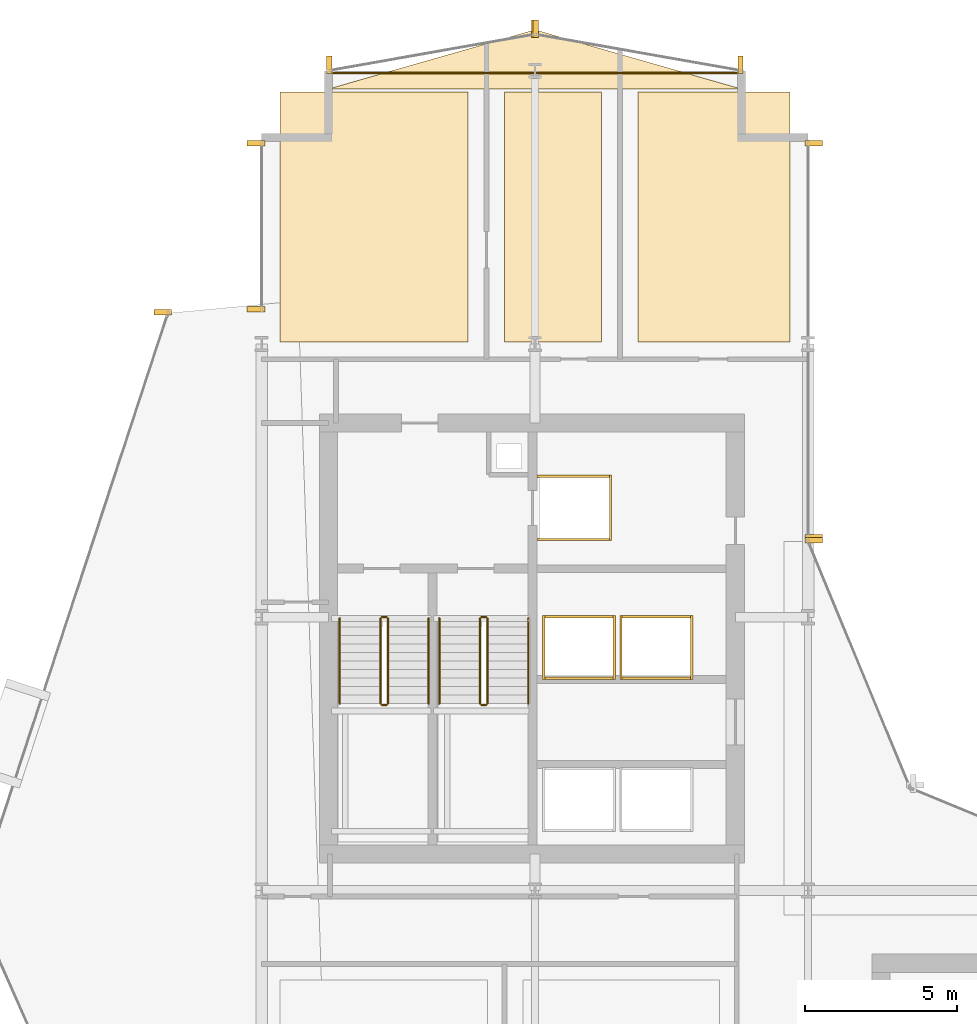
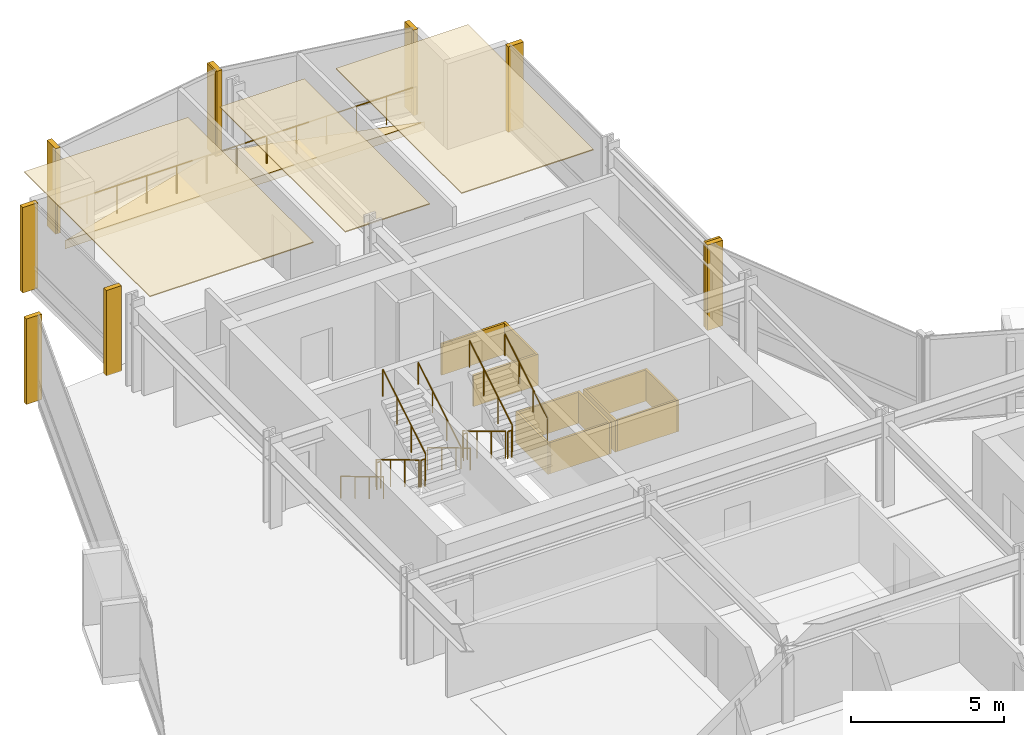
# One storey, part 33 of 34: 25 coverings, 13 railings.
"""IFC4 building model written with IfcOpenShell, lengths in metres."""

from ifc_helpers import new_model, si_unit, direction, frame, origin, origin_2d, place, context, subcontext, project, spatial, polyline, rectangle, circle, outline, extrude, material, layer, layer_set, type_object, element, save


model = new_model("IFC4")

# Units and contexts
model_context = context("Model", 3, precision=1e-05, world=origin(), true_north=direction((0.0, 1.0)))
body_context = subcontext(model_context, "Body", "Model", "MODEL_VIEW")
ifc_project = project(units=[si_unit("LENGTHUNIT", "METRE"), si_unit("AREAUNIT", "SQUARE_METRE"), si_unit("VOLUMEUNIT", "CUBIC_METRE"), si_unit("PLANEANGLEUNIT", "RADIAN"), si_unit("MASSUNIT", "GRAM", prefix="KILO")], contexts=[model_context])

# Site, building, storey
site_placement = place(None, origin())
site = spatial("IfcSite", under=ifc_project, at=site_placement, CompositionType="ELEMENT")
building_placement = place(site_placement, origin())
building = spatial("IfcBuilding", under=site, at=building_placement, Name="Solvaryn Broadcast Tower", CompositionType="ELEMENT")
storey_placement = place(building_placement, frame((0.0, 0.0, 54.5)))
storey = spatial("IfcBuildingStorey", under=building, at=storey_placement, Name="L12", CompositionType="ELEMENT", Elevation=54.5)

# Coverings
ifc_material_1 = material(Name="Micro-Perforated Acoustic Gypsum Ceiling", Category="concrete")
ifc_layer_1 = layer(ifc_material_1, 0.0400390625)
ifc_layer_set_1 = layer_set([ifc_layer_1], Name="CV-CEIL-ACOUSTIC")
covering_type_1 = type_object("IfcCoveringType", Name="CV-CEIL-ACOUSTIC", PredefinedType="CEILING", material=ifc_layer_set_1)
covering_1_placement = place(storey_placement, frame((0.0, 0.0, 3.3798828125)))
element("IfcCovering", 1, at=covering_1_placement, inside=storey, type_object=covering_type_1, Name="L12 Room Acoustic Ceiling 6", PredefinedType="CEILING", context=body_context, shape_type="SweptSolid", body=[
    extrude(outline(polyline([(9.60009765625, 45.070068359375), (15.800048828125, 45.070068359375), (15.800048828125, 53.300048828125), (9.60009765625, 53.300048828125), (9.60009765625, 45.070068359375)])), origin(), (0.0, 0.0, 1.0), 0.0400390625),
])
covering_2_placement = place(storey_placement, frame((0.0, 0.0, 3.3798828125)))
element("IfcCovering", 2, at=covering_2_placement, inside=storey, type_object=covering_type_1, Name="L12 Room Acoustic Ceiling 7", PredefinedType="CEILING", context=body_context, shape_type="SweptSolid", body=[
    extrude(outline(polyline([(17.0, 45.070068359375), (20.199951171875, 45.070068359375), (20.199951171875, 53.300048828125), (17.0, 53.300048828125), (17.0, 45.070068359375)])), origin(), (0.0, 0.0, 1.0), 0.0400390625),
])
covering_3_placement = place(storey_placement, frame((0.0, 0.0, 3.3798828125)))
element("IfcCovering", 3, at=covering_3_placement, inside=storey, type_object=covering_type_1, Name="L12 Room Acoustic Ceiling 8", PredefinedType="CEILING", context=body_context, shape_type="SweptSolid", body=[
    extrude(outline(polyline([(21.39990234375, 45.070068359375), (26.39990234375, 45.070068359375), (26.39990234375, 53.300048828125), (21.39990234375, 53.300048828125), (21.39990234375, 45.070068359375)])), origin(), (0.0, 0.0, 1.0), 0.0400390625),
])
ifc_material_2 = material(Name="Fire-Rated Gypsum Shaftwall Liner", Category="concrete")
ifc_layer_2 = layer(ifc_material_2, 0.080078125)
ifc_layer_set_2 = layer_set([ifc_layer_2], Name="CV-SHAFT-LINER")
covering_type_2 = type_object("IfcCoveringType", Name="CV-SHAFT-LINER", PredefinedType="CLADDING", material=ifc_layer_set_2)
for number, where, z_axis, x_axis, name in (
    (4, (19.300048828125, 40.639892578125, 0.0), (0.0, 0.0, 1.0), (1.0, 0.0, 0.0), "L12 FL1 Hoistway Shaft Liner North"),
    (5, (19.300048828125, 38.56005859375, 0.0), (0.0, 0.0, 1.0), (1.0, 0.0, 0.0), "L12 FL1 Hoistway Shaft Liner South"),
):
    element("IfcCovering", number, at=place(storey_placement, frame(where, z_axis=z_axis, x_axis=x_axis)), inside=storey, type_object=covering_type_2, Name=name, PredefinedType="CLADDING", context=body_context, shape_type="SweptSolid", body=[
        extrude(rectangle(XDim=2.4599609375, YDim=0.080078125, at=origin_2d()), origin(), (0.0, 0.0, 1.0), 1.25),
    ])
covering_4_placement = place(storey_placement, frame((20.489990234375, 39.60009765625, 0.0), z_axis=(0.0, 0.0, 1.0), x_axis=(1.0, 0.0, 0.0)))
element("IfcCovering", 6, at=covering_4_placement, inside=storey, type_object=covering_type_2, Name="L12 FL1 Hoistway Shaft Liner East", PredefinedType="CLADDING", context=body_context, shape_type="SweptSolid", body=[
    extrude(rectangle(XDim=0.080078125, YDim=2.159912109375, at=origin_2d()), origin(), (0.0, 0.0, 1.0), 1.25),
])
for number, where, z_axis, x_axis, name in (
    (7, (19.449951171875, 36.014892578125, 0.0), (0.0, 0.0, 1.0), (1.0, 0.0, 0.0), "L12 PH3 Hoistway Shaft Liner North"),
    (8, (19.449951171875, 33.985107421875, 0.0), (0.0, 0.0, 1.0), (1.0, 0.0, 0.0), "L12 PH3 Hoistway Shaft Liner South"),
):
    element("IfcCovering", number, at=place(storey_placement, frame(where, z_axis=z_axis, x_axis=x_axis)), inside=storey, type_object=covering_type_2, Name=name, PredefinedType="CLADDING", context=body_context, shape_type="SweptSolid", body=[
        extrude(rectangle(XDim=2.409912109375, YDim=0.080078125, at=origin_2d()), origin(), (0.0, 0.0, 1.0), 1.25),
    ])
for number, where, z_axis, x_axis, name in (
    (9, (20.614990234375, 35.0, 0.0), (0.0, 0.0, 1.0), (1.0, 0.0, 0.0), "L12 PH3 Hoistway Shaft Liner East"),
    (10, (18.284912109375, 35.0, 0.0), (0.0, 0.0, 1.0), (1.0, 0.0, 0.0), "L12 PH3 Hoistway Shaft Liner West"),
):
    element("IfcCovering", number, at=place(storey_placement, frame(where, z_axis=z_axis, x_axis=x_axis)), inside=storey, type_object=covering_type_2, Name=name, PredefinedType="CLADDING", context=body_context, shape_type="SweptSolid", body=[
        extrude(rectangle(XDim=0.080078125, YDim=2.110107421875, at=origin_2d()), origin(), (0.0, 0.0, 1.0), 1.25),
    ])
for number, where, z_axis, x_axis, name in (
    (11, (22.0, 36.014892578125, 0.0), (0.0, 0.0, 1.0), (1.0, 0.0, 0.0), "L12 PH4 Hoistway Shaft Liner North"),
    (12, (22.0, 33.985107421875, 0.0), (0.0, 0.0, 1.0), (1.0, 0.0, 0.0), "L12 PH4 Hoistway Shaft Liner South"),
):
    element("IfcCovering", number, at=place(storey_placement, frame(where, z_axis=z_axis, x_axis=x_axis)), inside=storey, type_object=covering_type_2, Name=name, PredefinedType="CLADDING", context=body_context, shape_type="SweptSolid", body=[
        extrude(rectangle(XDim=2.409912109375, YDim=0.080078125, at=origin_2d()), origin(), (0.0, 0.0, 1.0), 1.25),
    ])
for number, where, z_axis, x_axis, name in (
    (13, (23.1650390625, 35.0, 0.0), (0.0, 0.0, 1.0), (1.0, 0.0, 0.0), "L12 PH4 Hoistway Shaft Liner East"),
    (14, (20.8349609375, 35.0, 0.0), (0.0, 0.0, 1.0), (1.0, 0.0, 0.0), "L12 PH4 Hoistway Shaft Liner West"),
):
    element("IfcCovering", number, at=place(storey_placement, frame(where, z_axis=z_axis, x_axis=x_axis)), inside=storey, type_object=covering_type_2, Name=name, PredefinedType="CLADDING", context=body_context, shape_type="SweptSolid", body=[
        extrude(rectangle(XDim=0.080078125, YDim=2.110107421875, at=origin_2d()), origin(), (0.0, 0.0, 1.0), 1.25),
    ])
ifc_material_3 = material(Name="Extruded Architectural Terracotta Fin", Category="masonry")
ifc_layer_3 = layer(ifc_material_3, 0.179931640625)
ifc_layer_set_3 = layer_set([ifc_layer_3], Name="CV-TC-FIN")
covering_type_3 = type_object("IfcCoveringType", Name="CV-TC-FIN", PredefinedType="USERDEFINED", material=ifc_layer_set_3)
for number, where, z_axis, x_axis, name in (
    (15, (5.735595703125, 46.043701171875, 0.0), (0.0, 0.0, 1.0), (1.0, 0.0, 0.0), "L12 Terracotta Vertical Fin FIN-L12-DR1-M00"),
    (16, (8.8125, 46.14599609375, 0.0), (0.0, 0.0, 1.0), (1.0, 0.0, 0.0), "L12 Terracotta Vertical Fin FIN-L12-W2-M00"),
    (17, (8.8125, 51.6201171875, 0.0), (0.0, 0.0, 1.0), (1.0, 0.0, 0.0), "L12 Terracotta Vertical Fin FIN-L12-W2-M01"),
    (18, (27.1875, 51.6201171875, 0.0), (0.0, 0.0, 1.0), (1.0, 0.0, 0.0), "L12 Terracotta Vertical Fin FIN-L12-IV-M00"),
    (19, (27.1875, 38.6298828125, 0.0), (0.0, 0.0, 1.0), (1.0, 0.0, 0.0), "L12 Terracotta Vertical Fin FIN-L12-IV-M01"),
    (20, (27.177978515625, 38.541259765625, 0.0), (0.0, 0.0, 1.0), (1.0, 0.0, 0.0), "L12 Terracotta Vertical Fin FIN-L12-CN2-M01"),
):
    element("IfcCovering", number, at=place(storey_placement, frame(where, z_axis=z_axis, x_axis=x_axis)), inside=storey, type_object=covering_type_3, Name=name, ObjectType="FIN", PredefinedType="USERDEFINED", context=body_context, shape_type="SweptSolid", body=[
        extrude(rectangle(XDim=0.580078125, YDim=0.179931640625, at=origin_2d()), origin(), (0.0, 0.0, 1.0), 3.419921875),
    ])
for number, where, z_axis, x_axis, name in (
    (21, (24.7705078125, 54.192626953125, 0.0), (0.0, 0.0, 1.0), (1.0, 0.0, 0.0), "L12 Terracotta Vertical Fin FIN-L12-NT1-M00"),
    (22, (18.029541015625, 55.38232421875, 0.0), (0.0, 0.0, 1.0), (1.0, 0.0, 0.0), "L12 Terracotta Vertical Fin FIN-L12-NT1-M01"),
    (23, (17.970458984375, 55.38232421875, 0.0), (0.0, 0.0, 1.0), (1.0, 0.0, 0.0), "L12 Terracotta Vertical Fin FIN-L12-NT2-M00"),
    (24, (11.2294921875, 54.192626953125, 0.0), (0.0, 0.0, 1.0), (1.0, 0.0, 0.0), "L12 Terracotta Vertical Fin FIN-L12-NT2-M01"),
):
    element("IfcCovering", number, at=place(storey_placement, frame(where, z_axis=z_axis, x_axis=x_axis)), inside=storey, type_object=covering_type_3, Name=name, ObjectType="FIN", PredefinedType="USERDEFINED", context=body_context, shape_type="SweptSolid", body=[
        extrude(rectangle(XDim=0.179931640625, YDim=0.580078125, at=origin_2d()), origin(), (0.0, 0.0, 1.0), 3.419921875),
    ])
ifc_material_4 = material(Name="Sculpted Architectural Terracotta Wave Fascia", Category="masonry")
ifc_layer_4 = layer(ifc_material_4, 0.340087890625)
ifc_layer_set_4 = layer_set([ifc_layer_4], Name="CV-WAVE-TRAY")
covering_type_4 = type_object("IfcCoveringType", Name="CV-WAVE-TRAY", PredefinedType="CLADDING", material=ifc_layer_set_4)
covering_5_placement = place(storey_placement, frame((0.0, 0.0, -0.300048828125)))
element("IfcCovering", 25, at=covering_5_placement, inside=storey, type_object=covering_type_4, Name="L12 North Curved Wing Deck", PredefinedType="CLADDING", context=body_context, shape_type="SweptSolid", body=[
    extrude(outline(polyline([(11.199951171875, 53.39990234375), (24.800048828125, 53.39990234375), (18.0, 55.35009765625), (11.199951171875, 53.39990234375)])), origin(), (0.0, 0.0, 1.0), 0.330078125),
])

# Railings
ifc_material_5 = material(Name="Painted Steel Stair Well Guard", Category="steel")
railing_type_1 = type_object("IfcRailingType", Name="RL-STAIR-GUARD", PredefinedType="BALUSTRADE", material=ifc_material_5)
railing_1_placement = place(storey_placement, frame((12.909912109375, 35.9599609375, 0.168212890625)))
element("IfcRailing", 26, at=railing_1_placement, inside=storey, type_object=railing_type_1, Name="L12 ST1 stair guard 1", PredefinedType="BALUSTRADE", context=body_context, shape_type="SweptSolid", body=[
    extrude(circle(Radius=0.02392578125, at=origin_2d()), frame((0.0, 0.0, 1.076171875), z_axis=(0.0, -0.857242210791, 0.514913383045), x_axis=(1.0, 0.0, 0.0)), (0.0, 0.0, 1.0), 3.266357421875),
    extrude(circle(Radius=0.02099609375, at=origin_2d()), origin(), (0.0, 0.0, 1.0), 1.052001953125),
    extrude(circle(Radius=0.02099609375, at=origin_2d()), frame((0.0, -0.933349609375, 0.560546875)), (0.0, 0.0, 1.0), 1.052001953125),
    extrude(circle(Radius=0.02099609375, at=origin_2d()), frame((0.0, -1.86669921875, 1.121337890625)), (0.0, 0.0, 1.0), 1.052001953125),
    extrude(circle(Radius=0.02099609375, at=origin_2d()), frame((0.0, -2.800048828125, 1.681884765625)), (0.0, 0.0, 1.0), 1.052001953125),
])
railing_2_placement = place(storey_placement, frame((12.9599609375, 33.110107421875, 1.85009765625)))
element("IfcRailing", 27, at=railing_2_placement, inside=storey, type_object=railing_type_1, Name="L12 ST1 stair guard 2", PredefinedType="BALUSTRADE", context=body_context, shape_type="SweptSolid", body=[
    extrude(circle(Radius=0.02392578125, at=origin_2d()), frame((0.0, 0.0, 1.076171875), z_axis=(1.0, 0.0, 0.0), x_axis=(0.0, 1.0, 0.0)), (0.0, 0.0, 1.0), 0.150146484375),
    extrude(circle(Radius=0.02099609375, at=origin_2d()), origin(), (0.0, 0.0, 1.0), 1.052001953125),
    extrude(circle(Radius=0.02099609375, at=origin_2d()), frame((0.150146484375, 0.0, 0.0)), (0.0, 0.0, 1.0), 1.052001953125),
])
railing_3_placement = place(storey_placement, frame((13.159912109375, 33.159912109375, 2.01806640625)))
element("IfcRailing", 28, at=railing_3_placement, inside=storey, type_object=railing_type_1, Name="L12 ST1 stair guard 3", PredefinedType="BALUSTRADE", context=body_context, shape_type="SweptSolid", body=[
    extrude(circle(Radius=0.02392578125, at=origin_2d()), frame((0.0, 0.0, 1.076171875), z_axis=(0.0, 0.857242210791, 0.514913383045), x_axis=(-1.0, 0.0, 0.0)), (0.0, 0.0, 1.0), 3.266357421875),
    extrude(circle(Radius=0.02099609375, at=origin_2d()), origin(), (0.0, 0.0, 1.0), 1.052001953125),
    extrude(circle(Radius=0.02099609375, at=origin_2d()), frame((0.0, 0.933349609375, 0.560546875)), (0.0, 0.0, 1.0), 1.052001953125),
    extrude(circle(Radius=0.02099609375, at=origin_2d()), frame((0.0, 1.86669921875, 1.121337890625)), (0.0, 0.0, 1.0), 1.052001953125),
    extrude(circle(Radius=0.02099609375, at=origin_2d()), frame((0.0, 2.800048828125, 1.681884765625)), (0.0, 0.0, 1.0), 1.052001953125),
])
railing_4_placement = place(storey_placement, frame((12.9599609375, 36.010009765625, 0.0)))
element("IfcRailing", 29, at=railing_4_placement, inside=storey, type_object=railing_type_1, Name="L12 ST1 stair guard 4", PredefinedType="BALUSTRADE", context=body_context, shape_type="SweptSolid", body=[
    extrude(circle(Radius=0.02392578125, at=origin_2d()), frame((0.0, 0.0, 1.076171875), z_axis=(1.0, 0.0, 0.0), x_axis=(0.0, 1.0, 0.0)), (0.0, 0.0, 1.0), 0.150146484375),
    extrude(circle(Radius=0.02099609375, at=origin_2d()), origin(), (0.0, 0.0, 1.0), 1.052001953125),
    extrude(circle(Radius=0.02099609375, at=origin_2d()), frame((0.150146484375, 0.0, 0.0)), (0.0, 0.0, 1.0), 1.052001953125),
])
railing_5_placement = place(storey_placement, frame((16.18994140625, 35.9599609375, 0.168212890625)))
element("IfcRailing", 30, at=railing_5_placement, inside=storey, type_object=railing_type_1, Name="L12 ST2 stair guard 1", PredefinedType="BALUSTRADE", context=body_context, shape_type="SweptSolid", body=[
    extrude(circle(Radius=0.02392578125, at=origin_2d()), frame((0.0, 0.0, 1.076171875), z_axis=(0.0, -0.857242210791, 0.514913383045), x_axis=(1.0, 0.0, 0.0)), (0.0, 0.0, 1.0), 3.266357421875),
    extrude(circle(Radius=0.02099609375, at=origin_2d()), origin(), (0.0, 0.0, 1.0), 1.052001953125),
    extrude(circle(Radius=0.02099609375, at=origin_2d()), frame((0.0, -0.933349609375, 0.560546875)), (0.0, 0.0, 1.0), 1.052001953125),
    extrude(circle(Radius=0.02099609375, at=origin_2d()), frame((0.0, -1.86669921875, 1.121337890625)), (0.0, 0.0, 1.0), 1.052001953125),
    extrude(circle(Radius=0.02099609375, at=origin_2d()), frame((0.0, -2.800048828125, 1.681884765625)), (0.0, 0.0, 1.0), 1.052001953125),
])
railing_6_placement = place(storey_placement, frame((16.239990234375, 33.110107421875, 1.85009765625)))
element("IfcRailing", 31, at=railing_6_placement, inside=storey, type_object=railing_type_1, Name="L12 ST2 stair guard 2", PredefinedType="BALUSTRADE", context=body_context, shape_type="SweptSolid", body=[
    extrude(circle(Radius=0.02392578125, at=origin_2d()), frame((0.0, 0.0, 1.076171875), z_axis=(1.0, 0.0, 0.0), x_axis=(0.0, 1.0, 0.0)), (0.0, 0.0, 1.0), 0.14990234375),
    extrude(circle(Radius=0.02099609375, at=origin_2d()), origin(), (0.0, 0.0, 1.0), 1.052001953125),
    extrude(circle(Radius=0.02099609375, at=origin_2d()), frame((0.14990234375, 0.0, 0.0)), (0.0, 0.0, 1.0), 1.052001953125),
])
railing_7_placement = place(storey_placement, frame((16.43994140625, 33.159912109375, 2.01806640625)))
element("IfcRailing", 32, at=railing_7_placement, inside=storey, type_object=railing_type_1, Name="L12 ST2 stair guard 3", PredefinedType="BALUSTRADE", context=body_context, shape_type="SweptSolid", body=[
    extrude(circle(Radius=0.02392578125, at=origin_2d()), frame((0.0, 0.0, 1.076171875), z_axis=(0.0, 0.857242210791, 0.514913383045), x_axis=(-1.0, 0.0, 0.0)), (0.0, 0.0, 1.0), 3.266357421875),
    extrude(circle(Radius=0.02099609375, at=origin_2d()), origin(), (0.0, 0.0, 1.0), 1.052001953125),
    extrude(circle(Radius=0.02099609375, at=origin_2d()), frame((0.0, 0.933349609375, 0.560546875)), (0.0, 0.0, 1.0), 1.052001953125),
    extrude(circle(Radius=0.02099609375, at=origin_2d()), frame((0.0, 1.86669921875, 1.121337890625)), (0.0, 0.0, 1.0), 1.052001953125),
    extrude(circle(Radius=0.02099609375, at=origin_2d()), frame((0.0, 2.800048828125, 1.681884765625)), (0.0, 0.0, 1.0), 1.052001953125),
])
railing_8_placement = place(storey_placement, frame((16.239990234375, 36.010009765625, 0.0)))
element("IfcRailing", 33, at=railing_8_placement, inside=storey, type_object=railing_type_1, Name="L12 ST2 stair guard 4", PredefinedType="BALUSTRADE", context=body_context, shape_type="SweptSolid", body=[
    extrude(circle(Radius=0.02392578125, at=origin_2d()), frame((0.0, 0.0, 1.076171875), z_axis=(1.0, 0.0, 0.0), x_axis=(0.0, 1.0, 0.0)), (0.0, 0.0, 1.0), 0.14990234375),
    extrude(circle(Radius=0.02099609375, at=origin_2d()), origin(), (0.0, 0.0, 1.0), 1.052001953125),
    extrude(circle(Radius=0.02099609375, at=origin_2d()), frame((0.14990234375, 0.0, 0.0)), (0.0, 0.0, 1.0), 1.052001953125),
])
ifc_material_6 = material(Name="Brushed Stainless Steel Tubular Handrail", Category="steel")
railing_type_2 = type_object("IfcRailingType", Name="RL-STAIR-HANDRAIL", PredefinedType="HANDRAIL", material=ifc_material_6)
railing_9_placement = place(storey_placement, frame((11.570068359375, 35.9599609375, 0.168212890625)))
element("IfcRailing", 34, at=railing_9_placement, inside=storey, type_object=railing_type_2, Name="L12 ST1 stair handrail 1", PredefinedType="HANDRAIL", context=body_context, shape_type="SweptSolid", body=[
    extrude(circle(Radius=0.02392578125, at=origin_2d()), frame((0.0, 0.0, 0.8759765625), z_axis=(0.0, -0.857242210791, 0.514913383045), x_axis=(1.0, 0.0, 0.0)), (0.0, 0.0, 1.0), 3.266357421875),
    extrude(circle(Radius=0.02099609375, at=origin_2d()), origin(), (0.0, 0.0, 1.0), 0.851806640625),
    extrude(circle(Radius=0.02099609375, at=origin_2d()), frame((0.0, -0.933349609375, 0.560546875)), (0.0, 0.0, 1.0), 0.851806640625),
    extrude(circle(Radius=0.02099609375, at=origin_2d()), frame((0.0, -1.86669921875, 1.121337890625)), (0.0, 0.0, 1.0), 0.851806640625),
    extrude(circle(Radius=0.02099609375, at=origin_2d()), frame((0.0, -2.800048828125, 1.681884765625)), (0.0, 0.0, 1.0), 0.851806640625),
])
railing_10_placement = place(storey_placement, frame((14.5, 33.159912109375, 2.01806640625)))
element("IfcRailing", 35, at=railing_10_placement, inside=storey, type_object=railing_type_2, Name="L12 ST1 stair handrail 2", PredefinedType="HANDRAIL", context=body_context, shape_type="SweptSolid", body=[
    extrude(circle(Radius=0.02392578125, at=origin_2d()), frame((0.0, 0.0, 0.8759765625), z_axis=(0.0, 0.857242210791, 0.514913383045), x_axis=(-1.0, 0.0, 0.0)), (0.0, 0.0, 1.0), 3.266357421875),
    extrude(circle(Radius=0.02099609375, at=origin_2d()), origin(), (0.0, 0.0, 1.0), 0.851806640625),
    extrude(circle(Radius=0.02099609375, at=origin_2d()), frame((0.0, 0.933349609375, 0.560546875)), (0.0, 0.0, 1.0), 0.851806640625),
    extrude(circle(Radius=0.02099609375, at=origin_2d()), frame((0.0, 1.86669921875, 1.121337890625)), (0.0, 0.0, 1.0), 0.851806640625),
    extrude(circle(Radius=0.02099609375, at=origin_2d()), frame((0.0, 2.800048828125, 1.681884765625)), (0.0, 0.0, 1.0), 0.851806640625),
])
railing_11_placement = place(storey_placement, frame((14.85009765625, 35.9599609375, 0.168212890625)))
element("IfcRailing", 36, at=railing_11_placement, inside=storey, type_object=railing_type_2, Name="L12 ST2 stair handrail 1", PredefinedType="HANDRAIL", context=body_context, shape_type="SweptSolid", body=[
    extrude(circle(Radius=0.02392578125, at=origin_2d()), frame((0.0, 0.0, 0.8759765625), z_axis=(0.0, -0.857242210791, 0.514913383045), x_axis=(1.0, 0.0, 0.0)), (0.0, 0.0, 1.0), 3.266357421875),
    extrude(circle(Radius=0.02099609375, at=origin_2d()), origin(), (0.0, 0.0, 1.0), 0.851806640625),
    extrude(circle(Radius=0.02099609375, at=origin_2d()), frame((0.0, -0.933349609375, 0.560546875)), (0.0, 0.0, 1.0), 0.851806640625),
    extrude(circle(Radius=0.02099609375, at=origin_2d()), frame((0.0, -1.86669921875, 1.121337890625)), (0.0, 0.0, 1.0), 0.851806640625),
    extrude(circle(Radius=0.02099609375, at=origin_2d()), frame((0.0, -2.800048828125, 1.681884765625)), (0.0, 0.0, 1.0), 0.851806640625),
])
railing_12_placement = place(storey_placement, frame((17.780029296875, 33.159912109375, 2.01806640625)))
element("IfcRailing", 37, at=railing_12_placement, inside=storey, type_object=railing_type_2, Name="L12 ST2 stair handrail 2", PredefinedType="HANDRAIL", context=body_context, shape_type="SweptSolid", body=[
    extrude(circle(Radius=0.02392578125, at=origin_2d()), frame((0.0, 0.0, 0.8759765625), z_axis=(0.0, 0.857242210791, 0.514913383045), x_axis=(-1.0, 0.0, 0.0)), (0.0, 0.0, 1.0), 3.266357421875),
    extrude(circle(Radius=0.02099609375, at=origin_2d()), origin(), (0.0, 0.0, 1.0), 0.851806640625),
    extrude(circle(Radius=0.02099609375, at=origin_2d()), frame((0.0, 0.933349609375, 0.560546875)), (0.0, 0.0, 1.0), 0.851806640625),
    extrude(circle(Radius=0.02099609375, at=origin_2d()), frame((0.0, 1.86669921875, 1.121337890625)), (0.0, 0.0, 1.0), 0.851806640625),
    extrude(circle(Radius=0.02099609375, at=origin_2d()), frame((0.0, 2.800048828125, 1.681884765625)), (0.0, 0.0, 1.0), 0.851806640625),
])
ifc_material_7 = material(Name="Stainless Steel and Laminated Glass Guard", Category="steel")
railing_type_3 = type_object("IfcRailingType", Name="RL-TER-1150", PredefinedType="BALUSTRADE", material=ifc_material_7)
railing_13_placement = place(storey_placement, frame((11.199951171875, 53.919921875, 0.0)))
element("IfcRailing", 38, at=railing_13_placement, inside=storey, type_object=railing_type_3, Name="L12 North Wing Spandrel Edge Guard", PredefinedType="BALUSTRADE", context=body_context, shape_type="SweptSolid", body=[
    extrude(circle(Radius=0.02392578125, at=origin_2d()), frame((0.0, 0.0, 1.1259765625), z_axis=(1.0, 0.0, 0.0), x_axis=(0.0, 1.0, 0.0)), (0.0, 0.0, 1.0), 13.60009765625),
    extrude(circle(Radius=0.02099609375, at=origin_2d()), origin(), (0.0, 0.0, 1.0), 1.101806640625),
    extrude(circle(Radius=0.02099609375, at=origin_2d()), frame((1.13330078125, 0.0, 0.0)), (0.0, 0.0, 1.0), 1.101806640625),
    extrude(circle(Radius=0.02099609375, at=origin_2d()), frame((2.2666015625, 0.0, 0.0)), (0.0, 0.0, 1.0), 1.101806640625),
    extrude(circle(Radius=0.02099609375, at=origin_2d()), frame((3.39990234375, 0.0, 0.0)), (0.0, 0.0, 1.0), 1.101806640625),
    extrude(circle(Radius=0.02099609375, at=origin_2d()), frame((4.533447265625, 0.0, 0.0)), (0.0, 0.0, 1.0), 1.101806640625),
    extrude(circle(Radius=0.02099609375, at=origin_2d()), frame((5.666748046875, 0.0, 0.0)), (0.0, 0.0, 1.0), 1.101806640625),
    extrude(circle(Radius=0.02099609375, at=origin_2d()), frame((6.800048828125, 0.0, 0.0)), (0.0, 0.0, 1.0), 1.101806640625),
    extrude(circle(Radius=0.02099609375, at=origin_2d()), frame((7.933349609375, 0.0, 0.0)), (0.0, 0.0, 1.0), 1.101806640625),
    extrude(circle(Radius=0.02099609375, at=origin_2d()), frame((9.066650390625, 0.0, 0.0)), (0.0, 0.0, 1.0), 1.101806640625),
    extrude(circle(Radius=0.02099609375, at=origin_2d()), frame((10.2001953125, 0.0, 0.0)), (0.0, 0.0, 1.0), 1.101806640625),
    extrude(circle(Radius=0.02099609375, at=origin_2d()), frame((11.33349609375, 0.0, 0.0)), (0.0, 0.0, 1.0), 1.101806640625),
    extrude(circle(Radius=0.02099609375, at=origin_2d()), frame((12.466796875, 0.0, 0.0)), (0.0, 0.0, 1.0), 1.101806640625),
    extrude(circle(Radius=0.02099609375, at=origin_2d()), frame((13.60009765625, 0.0, 0.0)), (0.0, 0.0, 1.0), 1.101806640625),
])

save(model, "model.ifc")
